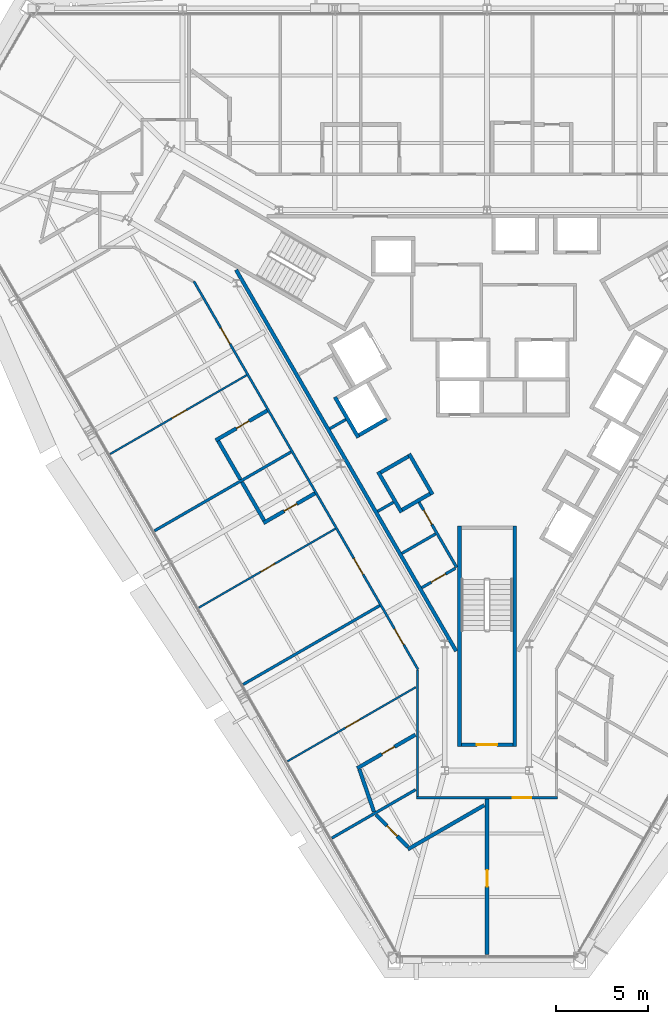
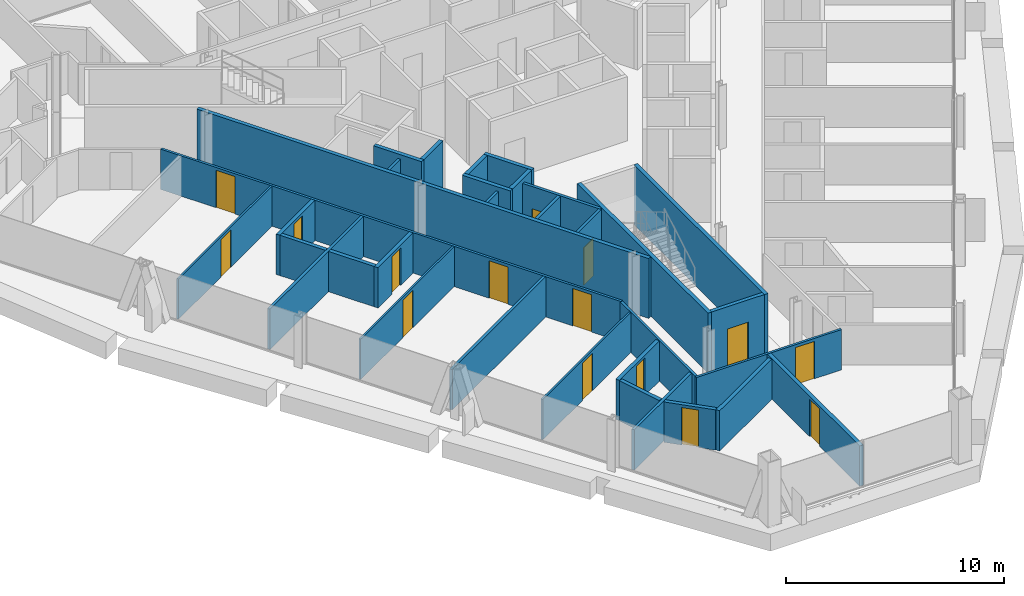
# One storey, part 10 of 17: 33 walls, 15 doors, 15 openings.
"""IFC4 building model written with IfcOpenShell, lengths in metres."""

from ifc_helpers import new_model, si_unit, direction, frame, frame_2d, origin, place, context, subcontext, project, spatial, rectangle, extrude, material, layer, layer_set, type_object, element, fill, save


model = new_model("IFC4")

# Units and contexts
model_context = context("Model", 3, precision=1e-05, world=origin(), true_north=direction((0.0, 1.0)))
body_context = subcontext(model_context, "Body", "Model", "MODEL_VIEW")
ifc_project = project(units=[si_unit("LENGTHUNIT", "METRE"), si_unit("AREAUNIT", "SQUARE_METRE"), si_unit("VOLUMEUNIT", "CUBIC_METRE"), si_unit("PLANEANGLEUNIT", "RADIAN"), si_unit("MASSUNIT", "GRAM", prefix="KILO")], contexts=[model_context])

# Site, building, storey
site_placement = place(None, origin())
site = spatial("IfcSite", under=ifc_project, at=site_placement, CompositionType="ELEMENT")
building_placement = place(site_placement, origin())
building = spatial("IfcBuilding", under=site, at=building_placement, Name="Verrane Prism Tower", CompositionType="ELEMENT")
storey_placement = place(building_placement, frame((0.0, 0.0, 139.60009765625)))
storey = spatial("IfcBuildingStorey", under=building, at=storey_placement, Name="L34", CompositionType="ELEMENT", Elevation=139.60009765625)

# Wall
ifc_material_1 = material(Name="Gypsum board partition", Category="other")
ifc_layer_1 = layer(ifc_material_1, 0.199951171875)
ifc_layer_set_1 = layer_set([ifc_layer_1], Name="CW-200 core boundary wall 2 h")
wall_type_1 = type_object("IfcWallType", Name="CW-200 core boundary wall 2 h", PredefinedType="PARTITIONING", material=ifc_layer_set_1)
wall_1_placement = place(storey_placement, frame((-13.66357421875, 5.946044921875, 0.0), z_axis=(0.0, 0.0, 1.0), x_axis=(0.499994327219, -0.866028678941, 0.0)))
element("IfcWall", 1, at=wall_1_placement, inside=storey, type_object=wall_type_1, Name="Core boundary wall CW3-008", PredefinedType="PARTITIONING", context=body_context, shape_type="SweptSolid", body=[
    extrude(rectangle(XDim=23.967529296875, YDim=0.199951171875, at=frame_2d((11.98388671875, 0.0))), origin(), (0.0, 0.0, 1.0), 3.349853515625),
])

# Wall, opening, door
ifc_material_2 = material(Name="Concrete C40/50", Category="concrete")
ifc_layer_2 = layer(ifc_material_2, 0.199951171875)
ifc_layer_set_2 = layer_set([ifc_layer_2], Name="CW-200 stair core wall concrete C40/50 3 h")
wall_type_2 = type_object("IfcWallType", Name="CW-200 stair core wall concrete C40/50 3 h", PredefinedType="PARTITIONING", material=ifc_layer_set_2)
wall_2_placement = place(storey_placement, frame((-1.39990234375, -19.89990234375, 0.0), z_axis=(0.0, 0.0, 1.0), x_axis=(1.0, 0.0, 0.0)))
wall_2 = element("IfcWall", 2, at=wall_2_placement, inside=storey, type_object=wall_type_2, Name="Stair 3 enclosure wall", PredefinedType="PARTITIONING", context=body_context, shape_type="SweptSolid", body=[
    extrude(rectangle(XDim=2.7998046875, YDim=0.199951171875, at=frame_2d((1.39990234375, 0.0))), origin(), (0.0, 0.0, 1.0), 3.349853515625),
])
opening_1_placement = place(wall_2_placement, frame((0.85009765625, 0.0, 0.0)))
opening_1 = element("IfcOpeningElement", 3, at=opening_1_placement, cuts=wall_2, Name="Opening D32502", PredefinedType="OPENING", context=body_context, shape_type="SweptSolid", body=[
    extrude(rectangle(XDim=1.10009765625, YDim=2.10009765625, at=frame_2d((0.550048828125, 1.050048828125))), frame((0.0, 0.10986328125, 0.0), z_axis=(0.0, -1.0, 0.0), x_axis=(1.0, 0.0, 0.0)), (0.0, 0.0, 1.0), 0.219970703125),
])
ifc_material_3 = material(Name="Timber veneered door leaf", Category="wood")
door_type_1 = type_object("IfcDoorType", Name="DR-1100x2100 FD90 single leaf stair", OperationType="NOTDEFINED", PredefinedType="DOOR", material=ifc_material_3)
door_1_placement = place(opening_1_placement, origin())
door_1 = element("IfcDoor", 4, at=door_1_placement, inside=storey, type_object=door_type_1, Name="Stair 3 door", OperationType="SINGLE_SWING_LEFT", OverallHeight=2.10009765625, OverallWidth=1.10009765625, PredefinedType="DOOR", context=body_context, shape_type="SweptSolid", body=[
    extrude(rectangle(XDim=1.10009765625, YDim=2.10009765625, at=frame_2d((0.550048828125, 1.050048828125))), frame((0.0, 0.02490234375, 0.0), z_axis=(0.0, -1.0, 0.0), x_axis=(1.0, 0.0, 0.0)), (0.0, 0.0, 1.0), 0.050048828125),
])
fill(opening_1, door_1)

# Walls
for number, where, z_axis, x_axis, name in (
    (5, (1.5, -8.0, 0.0), (0.0, 0.0, 1.0), (0.0, -1.0, 0.0), "Stair 3 enclosure wall"),
    (6, (-1.5, -8.0, 0.0), (0.0, 0.0, 1.0), (0.0, -1.0, 0.0), "Stair 3 enclosure wall"),
):
    element("IfcWall", number, at=place(storey_placement, frame(where, z_axis=z_axis, x_axis=x_axis)), inside=storey, type_object=wall_type_2, Name=name, PredefinedType="PARTITIONING", context=body_context, shape_type="SweptSolid", body=[
        extrude(rectangle(XDim=12.0, YDim=0.199951171875, at=frame_2d((6.0, 0.0))), origin(), (0.0, 0.0, 1.0), 3.349853515625),
    ])
ifc_material_4 = material(Name="Gypsum board shaft wall assembly", Category="other")
ifc_layer_3 = layer(ifc_material_4, 0.199951171875)
ifc_layer_set_3 = layer_set([ifc_layer_3], Name="HW-200 lift shaft wall 2 h")
wall_type_3 = type_object("IfcWallType", Name="HW-200 lift shaft wall 2 h", PredefinedType="PARTITIONING", material=ifc_layer_set_3)
for number, where, z_axis, x_axis, name in (
    (7, (-4.61962890625, -7.118408203125, 0.0), (0.0, 0.0, 1.0), (0.866036909293, 0.499980071345, 0.0), "Lift shaft wall"),
    (8, (-5.794677734375, -5.083251953125, 0.0), (0.0, 0.0, 1.0), (0.866036909293, 0.499980071345, 0.0), "Lift shaft wall"),
    (9, (-6.9697265625, -3.048095703125, 0.0), (0.0, 0.0, 1.0), (0.866036909293, 0.499980071345, 0.0), "Lift shaft wall"),
):
    element("IfcWall", number, at=place(storey_placement, frame(where, z_axis=z_axis, x_axis=x_axis)), inside=storey, type_object=wall_type_3, Name=name, PredefinedType="PARTITIONING", context=body_context, shape_type="SweptSolid", body=[
        extrude(rectangle(XDim=1.75, YDim=0.199951171875, at=frame_2d((0.875, 0.0))), origin(), (0.0, 0.0, 1.0), 3.599853515625),
    ])
for number, where, z_axis, x_axis, name in (
    (10, (-2.967529296875, -6.280029296875, 0.0), (0.0, 0.0, 1.0), (-0.499990435942, 0.866030925526, 0.0), "Lift shaft wall"),
    (11, (-4.65625, -7.255126953125, 0.0), (0.0, 0.0, 1.0), (-0.499990435942, 0.866030925526, 0.0), "Lift shaft wall"),
    (12, (-7.00634765625, -3.184814453125, 0.0), (0.0, 0.0, 1.0), (-0.499990435942, 0.866030925526, 0.0), "Lift shaft wall"),
):
    element("IfcWall", number, at=place(storey_placement, frame(where, z_axis=z_axis, x_axis=x_axis)), inside=storey, type_object=wall_type_3, Name=name, PredefinedType="PARTITIONING", context=body_context, shape_type="SweptSolid", body=[
        extrude(rectangle(XDim=2.5498046875, YDim=0.199951171875, at=frame_2d((1.27490234375, 0.0))), origin(), (0.0, 0.0, 1.0), 3.599853515625),
    ])

# Wall, opening, door
ifc_material_5 = material(Name="Gypsum board partition", Category="other")
ifc_layer_4 = layer(ifc_material_5, 0.10009765625)
ifc_layer_set_4 = layer_set([ifc_layer_4], Name="PW-100 room partition")
wall_type_4 = type_object("IfcWallType", Name="PW-100 room partition", PredefinedType="PARTITIONING", material=ifc_layer_set_4)
wall_3_placement = place(storey_placement, frame((-13.084228515625, 0.2158203125, 0.0), z_axis=(0.0, 0.0, 1.0), x_axis=(-0.866017120224, -0.500014347272, 0.0)))
wall_3 = element("IfcWall", 13, at=wall_3_placement, inside=storey, type_object=wall_type_4, Name="Room partition 011", PredefinedType="PARTITIONING", context=body_context, shape_type="SweptSolid", body=[
    extrude(rectangle(XDim=8.591552734375, YDim=0.10009765625, at=frame_2d((4.2958984375, 0.0))), origin(), (0.0, 0.0, 1.0), 2.261962890625),
])
opening_2_placement = place(wall_3_placement, frame((3.78759765625, 0.0, 0.0)))
opening_2 = element("IfcOpeningElement", 14, at=opening_2_placement, cuts=wall_3, Name="Opening D32038", PredefinedType="OPENING", context=body_context, shape_type="SweptSolid", body=[
    extrude(rectangle(XDim=0.89990234375, YDim=2.10009765625, at=frame_2d((0.449951171875, 1.050048828125))), frame((0.0, 0.06005859375, 0.0), z_axis=(0.0, -1.0, 0.0), x_axis=(1.0, 0.0, 0.0)), (0.0, 0.0, 1.0), 0.1201171875),
])
ifc_material_6 = material(Name="Timber veneered door leaf", Category="wood")
door_type_2 = type_object("IfcDoorType", Name="DR-900x2100 single leaf inner", OperationType="NOTDEFINED", PredefinedType="DOOR", material=ifc_material_6)
door_2_placement = place(opening_2_placement, origin())
door_2 = element("IfcDoor", 15, at=door_2_placement, inside=storey, type_object=door_type_2, Name="Suite Living Room door", OperationType="SINGLE_SWING_LEFT", OverallHeight=2.10009765625, OverallWidth=0.89990234375, PredefinedType="DOOR", context=body_context, shape_type="SweptSolid", body=[
    extrude(rectangle(XDim=0.89990234375, YDim=2.10009765625, at=frame_2d((0.449951171875, 1.050048828125))), frame((0.0, 0.02490234375, 0.0), z_axis=(0.0, -1.0, 0.0), x_axis=(1.0, 0.0, 0.0)), (0.0, 0.0, 1.0), 0.050048828125),
])
fill(opening_2, door_2)

wall_4_placement = place(storey_placement, frame((-15.69580078125, -12.444091796875, 0.0), z_axis=(0.0, 0.0, 1.0), x_axis=(0.866024224461, 0.500002042643, 0.0)))
wall_4 = element("IfcWall", 16, at=wall_4_placement, inside=storey, type_object=wall_type_4, Name="Room partition 024", PredefinedType="PARTITIONING", context=body_context, shape_type="SweptSolid", body=[
    extrude(rectangle(XDim=8.591796875, YDim=0.10009765625, at=frame_2d((4.2958984375, 0.0))), origin(), (0.0, 0.0, 1.0), 2.261962890625),
])
opening_3_placement = place(wall_4_placement, frame((3.904052734375, 0.0, 0.0)))
opening_3 = element("IfcOpeningElement", 17, at=opening_3_placement, cuts=wall_4, Name="Opening D32041", PredefinedType="OPENING", context=body_context, shape_type="SweptSolid", body=[
    extrude(rectangle(XDim=0.89990234375, YDim=2.10009765625, at=frame_2d((0.449951171875, 1.050048828125))), frame((0.0, 0.06005859375, 0.0), z_axis=(0.0, -1.0, 0.0), x_axis=(1.0, 0.0, 0.0)), (0.0, 0.0, 1.0), 0.1201171875),
])
door_3_placement = place(opening_3_placement, origin())
door_3 = element("IfcDoor", 18, at=door_3_placement, inside=storey, type_object=door_type_2, Name="Suite Living Room door", OperationType="SINGLE_SWING_LEFT", OverallHeight=2.10009765625, OverallWidth=0.89990234375, PredefinedType="DOOR", context=body_context, shape_type="SweptSolid", body=[
    extrude(rectangle(XDim=0.89990234375, YDim=2.10009765625, at=frame_2d((0.449951171875, 1.050048828125))), frame((0.0, 0.02490234375, 0.0), z_axis=(0.0, -1.0, 0.0), x_axis=(1.0, 0.0, 0.0)), (0.0, 0.0, 1.0), 0.050048828125),
])
fill(opening_3, door_3)

wall_5_placement = place(storey_placement, frame((-3.87451171875, -16.7724609375, 0.0), z_axis=(0.0, 0.0, 1.0), x_axis=(-0.866048113244, -0.499960663999, 0.0)))
wall_5 = element("IfcWall", 19, at=wall_5_placement, inside=storey, type_object=wall_type_4, Name="Room partition 033", PredefinedType="PARTITIONING", context=body_context, shape_type="SweptSolid", body=[
    extrude(rectangle(XDim=8.073486328125, YDim=0.10009765625, at=frame_2d((4.03662109375, 0.0))), origin(), (0.0, 0.0, 1.0), 2.261962890625),
])
opening_4_placement = place(wall_5_placement, frame((3.519775390625, 0.0, 0.0)))
opening_4 = element("IfcOpeningElement", 20, at=opening_4_placement, cuts=wall_5, Name="Opening D32044", PredefinedType="OPENING", context=body_context, shape_type="SweptSolid", body=[
    extrude(rectangle(XDim=0.89990234375, YDim=2.10009765625, at=frame_2d((0.449951171875, 1.050048828125))), frame((0.0, 0.06005859375, 0.0), z_axis=(0.0, -1.0, 0.0), x_axis=(1.0, 0.0, 0.0)), (0.0, 0.0, 1.0), 0.1201171875),
])
door_4_placement = place(opening_4_placement, origin())
door_4 = element("IfcDoor", 21, at=door_4_placement, inside=storey, type_object=door_type_2, Name="Suite Living Room door", OperationType="SINGLE_SWING_LEFT", OverallHeight=2.10009765625, OverallWidth=0.89990234375, PredefinedType="DOOR", context=body_context, shape_type="SweptSolid", body=[
    extrude(rectangle(XDim=0.89990234375, YDim=2.10009765625, at=frame_2d((0.449951171875, 1.050048828125))), frame((0.0, 0.02490234375, 0.0), z_axis=(0.0, -1.0, 0.0), x_axis=(1.0, 0.0, 0.0)), (0.0, 0.0, 1.0), 0.050048828125),
])
fill(opening_4, door_4)

# Wall, openings, doors
ifc_material_7 = material(Name="Gypsum board partition", Category="other")
ifc_layer_5 = layer(ifc_material_7, 0.125)
ifc_layer_set_5 = layer_set([ifc_layer_5], Name="PW-125 corridor wall 1 h")
wall_type_5 = type_object("IfcWallType", Name="PW-125 corridor wall 1 h", PredefinedType="PARTITIONING", material=ifc_layer_set_5)
wall_6_placement = place(storey_placement, frame((-3.755859375, -15.816162109375, 0.0), z_axis=(0.0, 0.0, 1.0), x_axis=(-0.499992829944, 0.866029543379, 0.0)))
wall_6 = element("IfcWall", 22, at=wall_6_placement, inside=storey, type_object=wall_type_5, Name="Corridor wall 021", PredefinedType="PARTITIONING", context=body_context, shape_type="SweptSolid", body=[
    extrude(rectangle(XDim=24.412841796875, YDim=0.125, at=frame_2d((12.20654296875, 0.0))), origin(), (0.0, 0.0, 1.0), 2.261962890625),
])
opening_5_placement = place(wall_6_placement, frame((20.4775390625, 0.0, 0.0)))
opening_5 = element("IfcOpeningElement", 23, at=opening_5_placement, cuts=wall_6, Name="Opening D32037", PredefinedType="OPENING", context=body_context, shape_type="SweptSolid", body=[
    extrude(rectangle(XDim=1.0, YDim=2.10009765625, at=frame_2d((0.5, 1.050048828125))), frame((0.0, 0.072509765625, 0.0), z_axis=(0.0, -1.0, 0.0), x_axis=(1.0, 0.0, 0.0)), (0.0, 0.0, 1.0), 0.14501953125),
])
opening_6_placement = place(wall_6_placement, frame((5.990478515625, 0.0, 0.0)))
opening_6 = element("IfcOpeningElement", 24, at=opening_6_placement, cuts=wall_6, Name="Opening D32040", PredefinedType="OPENING", context=body_context, shape_type="SweptSolid", body=[
    extrude(rectangle(XDim=1.0, YDim=2.10009765625, at=frame_2d((0.5, 1.050048828125))), frame((0.0, 0.072509765625, 0.0), z_axis=(0.0, -1.0, 0.0), x_axis=(1.0, 0.0, 0.0)), (0.0, 0.0, 1.0), 0.14501953125),
])
opening_7_placement = place(wall_6_placement, frame((1.560546875, 0.0, 0.0)))
opening_7 = element("IfcOpeningElement", 25, at=opening_7_placement, cuts=wall_6, Name="Opening D32043", PredefinedType="OPENING", context=body_context, shape_type="SweptSolid", body=[
    extrude(rectangle(XDim=1.0, YDim=2.10009765625, at=frame_2d((0.5, 1.050048828125))), frame((0.0, 0.072509765625, 0.0), z_axis=(0.0, -1.0, 0.0), x_axis=(1.0, 0.0, 0.0)), (0.0, 0.0, 1.0), 0.14501953125),
])
ifc_material_8 = material(Name="Timber veneered door leaf", Category="wood")
door_type_3 = type_object("IfcDoorType", Name="DR-1000x2100 FD20 single leaf unit", OperationType="NOTDEFINED", PredefinedType="DOOR", material=ifc_material_8)
door_5_placement = place(opening_5_placement, origin())
door_5 = element("IfcDoor", 26, at=door_5_placement, inside=storey, type_object=door_type_3, Name="Suite Living Room door", OperationType="SINGLE_SWING_RIGHT", OverallHeight=2.10009765625, OverallWidth=1.0, PredefinedType="DOOR", context=body_context, shape_type="SweptSolid", body=[
    extrude(rectangle(XDim=1.0, YDim=2.10009765625, at=frame_2d((0.5, 1.050048828125))), frame((0.0, 0.02490234375, 0.0), z_axis=(0.0, -1.0, 0.0), x_axis=(1.0, 0.0, 0.0)), (0.0, 0.0, 1.0), 0.050048828125),
])
fill(opening_5, door_5)
door_6_placement = place(opening_6_placement, origin())
door_6 = element("IfcDoor", 27, at=door_6_placement, inside=storey, type_object=door_type_3, Name="Suite Living Room door", OperationType="SINGLE_SWING_LEFT", OverallHeight=2.10009765625, OverallWidth=1.0, PredefinedType="DOOR", context=body_context, shape_type="SweptSolid", body=[
    extrude(rectangle(XDim=1.0, YDim=2.10009765625, at=frame_2d((0.5, 1.050048828125))), frame((0.0, 0.02490234375, 0.0), z_axis=(0.0, -1.0, 0.0), x_axis=(1.0, 0.0, 0.0)), (0.0, 0.0, 1.0), 0.050048828125),
])
fill(opening_6, door_6)
door_7_placement = place(opening_7_placement, origin())
door_7 = element("IfcDoor", 28, at=door_7_placement, inside=storey, type_object=door_type_3, Name="Suite Living Room door", OperationType="SINGLE_SWING_RIGHT", OverallHeight=2.10009765625, OverallWidth=1.0, PredefinedType="DOOR", context=body_context, shape_type="SweptSolid", body=[
    extrude(rectangle(XDim=1.0, YDim=2.10009765625, at=frame_2d((0.5, 1.050048828125))), frame((0.0, 0.02490234375, 0.0), z_axis=(0.0, -1.0, 0.0), x_axis=(1.0, 0.0, 0.0)), (0.0, 0.0, 1.0), 0.050048828125),
])
fill(opening_7, door_7)

# Wall
wall_7_placement = place(storey_placement, frame((-3.787109375, -22.721923828125, 0.0), z_axis=(0.0, 0.0, 1.0), x_axis=(0.0, 1.0, 0.0)))
element("IfcWall", 29, at=wall_7_placement, inside=storey, type_object=wall_type_5, Name="Corridor wall 044", PredefinedType="PARTITIONING", context=body_context, shape_type="SweptSolid", body=[
    extrude(rectangle(XDim=6.875, YDim=0.125, at=frame_2d((3.4375, 0.0))), origin(), (0.0, 0.0, 1.0), 2.261962890625),
])

# Wall, opening, door
wall_8_placement = place(storey_placement, frame((3.849609375, -22.787109375, 0.0), z_axis=(0.0, 0.0, 1.0), x_axis=(-1.0, 0.0, 0.0)))
wall_8 = element("IfcWall", 30, at=wall_8_placement, inside=storey, type_object=wall_type_5, Name="Corridor wall 045", PredefinedType="PARTITIONING", context=body_context, shape_type="SweptSolid", body=[
    extrude(rectangle(XDim=7.69921875, YDim=0.125, at=frame_2d((3.849609375, 0.0))), origin(), (0.0, 0.0, 1.0), 2.261962890625),
])
opening_8_placement = place(wall_8_placement, frame((1.449462890625, 0.0, 0.0)))
opening_8 = element("IfcOpeningElement", 31, at=opening_8_placement, cuts=wall_8, Name="Opening D32046", PredefinedType="OPENING", context=body_context, shape_type="SweptSolid", body=[
    extrude(rectangle(XDim=1.0, YDim=2.10009765625, at=frame_2d((0.5, 1.050048828125))), frame((0.0, 0.072509765625, 0.0), z_axis=(0.0, -1.0, 0.0), x_axis=(1.0, 0.0, 0.0)), (0.0, 0.0, 1.0), 0.14501953125),
])
door_8_placement = place(opening_8_placement, origin())
door_8 = element("IfcDoor", 32, at=door_8_placement, inside=storey, type_object=door_type_3, Name="Suite Living Room door", OperationType="SINGLE_SWING_LEFT", OverallHeight=2.10009765625, OverallWidth=1.0, PredefinedType="DOOR", context=body_context, shape_type="SweptSolid", body=[
    extrude(rectangle(XDim=1.0, YDim=2.10009765625, at=frame_2d((0.5, 1.050048828125))), frame((0.0, 0.02490234375, 0.0), z_axis=(0.0, -1.0, 0.0), x_axis=(1.0, 0.0, 0.0)), (0.0, 0.0, 1.0), 0.050048828125),
])
fill(opening_8, door_8)

# Walls
ifc_material_9 = material(Name="Gypsum board partition", Category="other")
ifc_layer_6 = layer(ifc_material_9, 0.14990234375)
ifc_layer_set_6 = layer_set([ifc_layer_6], Name="PW-150 demising wall 1 h")
wall_type_6 = type_object("IfcWallType", Name="PW-150 demising wall 1 h", PredefinedType="PARTITIONING", material=ifc_layer_set_6)
wall_9_placement = place(storey_placement, frame((-18.1103515625, -8.26171875, 0.0), z_axis=(0.0, 0.0, 1.0), x_axis=(0.866034625887, 0.499984026509, 0.0)))
element("IfcWall", 33, at=wall_9_placement, inside=storey, type_object=wall_type_6, Name="Demising wall 018", PredefinedType="PARTITIONING", context=body_context, shape_type="SweptSolid", body=[
    extrude(rectangle(XDim=8.591064453125, YDim=0.14990234375, at=frame_2d((4.29541015625, 0.0))), origin(), (0.0, 0.0, 1.0), 2.261962890625),
])
wall_10_placement = place(storey_placement, frame((-13.28076171875, -16.626953125, 0.0), z_axis=(0.0, 0.0, 1.0), x_axis=(0.866036528751, 0.499980730498, 0.0)))
element("IfcWall", 34, at=wall_10_placement, inside=storey, type_object=wall_type_6, Name="Demising wall 029", PredefinedType="PARTITIONING", context=body_context, shape_type="SweptSolid", body=[
    extrude(rectangle(XDim=8.591552734375, YDim=0.14990234375, at=frame_2d((4.2958984375, 0.0))), origin(), (0.0, 0.0, 1.0), 2.261962890625),
])
wall_11_placement = place(storey_placement, frame((-8.45166015625, -24.990966796875, 0.0), z_axis=(0.0, 0.0, 1.0), x_axis=(0.866039804031, 0.499975057213, 0.0)))
element("IfcWall", 35, at=wall_11_placement, inside=storey, type_object=wall_type_6, Name="Demising wall 036", PredefinedType="PARTITIONING", context=body_context, shape_type="SweptSolid", body=[
    extrude(rectangle(XDim=5.270751953125, YDim=0.14990234375, at=frame_2d((2.63525390625, 0.0))), origin(), (0.0, 0.0, 1.0), 2.261962890625),
])
ifc_material_10 = material(Name="Gypsum board partition", Category="other")
ifc_layer_7 = layer(ifc_material_10, 0.199951171875)
ifc_layer_set_7 = layer_set([ifc_layer_7], Name="PW-200 plumbing wall")
wall_type_7 = type_object("IfcWallType", Name="PW-200 plumbing wall", PredefinedType="PARTITIONING", material=ifc_layer_set_7)
wall_12_placement = place(storey_placement, frame((-14.636962890625, -3.36962890625, 0.0), z_axis=(0.0, 0.0, 1.0), x_axis=(0.50002218001, -0.866012597771, 0.0)))
element("IfcWall", 36, at=wall_12_placement, inside=storey, type_object=wall_type_7, Name="Plumbing wall 025", PredefinedType="PARTITIONING", context=body_context, shape_type="SweptSolid", body=[
    extrude(rectangle(XDim=2.4208984375, YDim=0.199951171875, at=frame_2d((1.21044921875, 0.0))), origin(), (0.0, 0.0, 1.0), 2.261962890625),
])

# Wall, opening, door
wall_13_placement = place(storey_placement, frame((-11.97021484375, -1.71435546875, 0.0), z_axis=(0.0, 0.0, 1.0), x_axis=(-0.866016035791, -0.500016225489, 0.0)))
wall_13 = element("IfcWall", 37, at=wall_13_placement, inside=storey, type_object=wall_type_7, Name="Plumbing wall 026", PredefinedType="PARTITIONING", context=body_context, shape_type="SweptSolid", body=[
    extrude(rectangle(XDim=3.2373046875, YDim=0.199951171875, at=frame_2d((1.61865234375, 0.0))), origin(), (0.0, 0.0, 1.0), 2.261962890625),
])
opening_9_placement = place(wall_13_placement, frame((1.13720703125, 0.0, 0.0)))
opening_9 = element("IfcOpeningElement", 38, at=opening_9_placement, cuts=wall_13, Name="Opening D32039", PredefinedType="OPENING", context=body_context, shape_type="SweptSolid", body=[
    extrude(rectangle(XDim=0.800048828125, YDim=2.10009765625, at=frame_2d((0.39990234375, 1.050048828125))), frame((0.0, 0.10986328125, 0.0), z_axis=(0.0, -1.0, 0.0), x_axis=(1.0, 0.0, 0.0)), (0.0, 0.0, 1.0), 0.219970703125),
])
ifc_material_11 = material(Name="Timber veneered door leaf", Category="wood")
door_type_4 = type_object("IfcDoorType", Name="DR-800x2100 single leaf bath", OperationType="NOTDEFINED", PredefinedType="DOOR", material=ifc_material_11)
door_9_placement = place(opening_9_placement, origin())
door_9 = element("IfcDoor", 39, at=door_9_placement, inside=storey, type_object=door_type_4, Name="En-Suite door", OperationType="SINGLE_SWING_RIGHT", OverallHeight=2.10009765625, OverallWidth=0.800048828125, PredefinedType="DOOR", context=body_context, shape_type="SweptSolid", body=[
    extrude(rectangle(XDim=0.800048828125, YDim=2.10009765625, at=frame_2d((0.39990234375, 1.050048828125))), frame((0.0, 0.02490234375, 0.0), z_axis=(0.0, -1.0, 0.0), x_axis=(1.0, 0.0, 0.0)), (0.0, 0.0, 1.0), 0.050048828125),
])
fill(opening_9, door_9)

# Wall
wall_14_placement = place(storey_placement, frame((-13.346435546875, -5.60400390625, 0.0), z_axis=(0.0, 0.0, 1.0), x_axis=(0.499719542643, -0.866187265377, 0.0)))
element("IfcWall", 40, at=wall_14_placement, inside=storey, type_object=wall_type_7, Name="Plumbing wall 028", PredefinedType="PARTITIONING", context=body_context, shape_type="SweptSolid", body=[
    extrude(rectangle(XDim=2.42041015625, YDim=0.199951171875, at=frame_2d((1.210205078125, 0.0))), origin(), (0.0, 0.0, 1.0), 2.261962890625),
])

# Wall, opening, door
wall_15_placement = place(storey_placement, frame((-12.173583984375, -7.8369140625, 0.0), z_axis=(0.0, 0.0, 1.0), x_axis=(0.866016035791, 0.500016225489, 0.0)))
wall_15 = element("IfcWall", 41, at=wall_15_placement, inside=storey, type_object=wall_type_7, Name="Plumbing wall 031", PredefinedType="PARTITIONING", context=body_context, shape_type="SweptSolid", body=[
    extrude(rectangle(XDim=3.2373046875, YDim=0.199951171875, at=frame_2d((1.61865234375, 0.0))), origin(), (0.0, 0.0, 1.0), 2.261962890625),
])
opening_10_placement = place(wall_15_placement, frame((1.300048828125, 0.0, 0.0)))
opening_10 = element("IfcOpeningElement", 42, at=opening_10_placement, cuts=wall_15, Name="Opening D32042", PredefinedType="OPENING", context=body_context, shape_type="SweptSolid", body=[
    extrude(rectangle(XDim=0.800048828125, YDim=2.10009765625, at=frame_2d((0.39990234375, 1.050048828125))), frame((0.0, 0.10986328125, 0.0), z_axis=(0.0, -1.0, 0.0), x_axis=(1.0, 0.0, 0.0)), (0.0, 0.0, 1.0), 0.219970703125),
])
door_10_placement = place(opening_10_placement, origin())
door_10 = element("IfcDoor", 43, at=door_10_placement, inside=storey, type_object=door_type_4, Name="En-Suite door", OperationType="SINGLE_SWING_RIGHT", OverallHeight=2.10009765625, OverallWidth=0.800048828125, PredefinedType="DOOR", context=body_context, shape_type="SweptSolid", body=[
    extrude(rectangle(XDim=0.800048828125, YDim=2.10009765625, at=frame_2d((0.39990234375, 1.050048828125))), frame((0.0, 0.02490234375, 0.0), z_axis=(0.0, -1.0, 0.0), x_axis=(1.0, 0.0, 0.0)), (0.0, 0.0, 1.0), 0.050048828125),
])
fill(opening_10, door_10)

# Wall
wall_16_placement = place(storey_placement, frame((-6.947998046875, -21.256591796875, 0.0), z_axis=(0.0, 0.0, 1.0), x_axis=(0.325034895309, -0.945702023278, 0.0)))
element("IfcWall", 44, at=wall_16_placement, inside=storey, type_object=wall_type_7, Name="Plumbing wall 037", PredefinedType="PARTITIONING", context=body_context, shape_type="SweptSolid", body=[
    extrude(rectangle(XDim=2.432861328125, YDim=0.199951171875, at=frame_2d((1.21630859375, 0.0))), origin(), (0.0, 0.0, 1.0), 2.261962890625),
])

# Wall, opening, door
wall_17_placement = place(storey_placement, frame((-3.8994140625, -19.36083984375, 0.0), z_axis=(0.0, 0.0, 1.0), x_axis=(-0.866103509397, -0.499864692702, 0.0)))
wall_17 = element("IfcWall", 45, at=wall_17_placement, inside=storey, type_object=wall_type_7, Name="Plumbing wall 038", PredefinedType="PARTITIONING", context=body_context, shape_type="SweptSolid", body=[
    extrude(rectangle(XDim=3.6650390625, YDim=0.199951171875, at=frame_2d((1.83251953125, 0.0))), origin(), (0.0, 0.0, 1.0), 2.261962890625),
])
opening_11_placement = place(wall_17_placement, frame((1.31494140625, 0.0, 0.0)))
opening_11 = element("IfcOpeningElement", 46, at=opening_11_placement, cuts=wall_17, Name="Opening D32045", PredefinedType="OPENING", context=body_context, shape_type="SweptSolid", body=[
    extrude(rectangle(XDim=0.800048828125, YDim=2.10009765625, at=frame_2d((0.39990234375, 1.050048828125))), frame((0.0, 0.10986328125, 0.0), z_axis=(0.0, -1.0, 0.0), x_axis=(1.0, 0.0, 0.0)), (0.0, 0.0, 1.0), 0.219970703125),
])
door_11_placement = place(opening_11_placement, origin())
door_11 = element("IfcDoor", 47, at=door_11_placement, inside=storey, type_object=door_type_4, Name="En-Suite door", OperationType="SINGLE_SWING_RIGHT", OverallHeight=2.10009765625, OverallWidth=0.800048828125, PredefinedType="DOOR", context=body_context, shape_type="SweptSolid", body=[
    extrude(rectangle(XDim=0.800048828125, YDim=2.10009765625, at=frame_2d((0.39990234375, 1.050048828125))), frame((0.0, 0.02490234375, 0.0), z_axis=(0.0, -1.0, 0.0), x_axis=(1.0, 0.0, 0.0)), (0.0, 0.0, 1.0), 0.050048828125),
])
fill(opening_11, door_11)

wall_18_placement = place(storey_placement, frame((-6.05224609375, -23.721923828125, 0.0), z_axis=(0.0, 0.0, 1.0), x_axis=(0.706958057502, -0.707255473597, 0.0)))
wall_18 = element("IfcWall", 48, at=wall_18_placement, inside=storey, type_object=wall_type_7, Name="Plumbing wall 041", PredefinedType="PARTITIONING", context=body_context, shape_type="SweptSolid", body=[
    extrude(rectangle(XDim=2.462646484375, YDim=0.199951171875, at=frame_2d((1.2314453125, 0.0))), origin(), (0.0, 0.0, 1.0), 2.261962890625),
])
opening_12_placement = place(wall_18_placement, frame((0.845703125, 0.0, 0.0)))
opening_12 = element("IfcOpeningElement", 49, at=opening_12_placement, cuts=wall_18, Name="Opening D32048", PredefinedType="OPENING", context=body_context, shape_type="SweptSolid", body=[
    extrude(rectangle(XDim=0.800048828125, YDim=2.10009765625, at=frame_2d((0.39990234375, 1.050048828125))), frame((0.0, 0.10986328125, 0.0), z_axis=(0.0, -1.0, 0.0), x_axis=(1.0, 0.0, 0.0)), (0.0, 0.0, 1.0), 0.219970703125),
])
door_12_placement = place(opening_12_placement, origin())
door_12 = element("IfcDoor", 50, at=door_12_placement, inside=storey, type_object=door_type_4, Name="En-Suite door", OperationType="SINGLE_SWING_RIGHT", OverallHeight=2.10009765625, OverallWidth=0.800048828125, PredefinedType="DOOR", context=body_context, shape_type="SweptSolid", body=[
    extrude(rectangle(XDim=0.800048828125, YDim=2.10009765625, at=frame_2d((0.39990234375, 1.050048828125))), frame((0.0, 0.02490234375, 0.0), z_axis=(0.0, -1.0, 0.0), x_axis=(1.0, 0.0, 0.0)), (0.0, 0.0, 1.0), 0.050048828125),
])
fill(opening_12, door_12)

# Wall
wall_19_placement = place(storey_placement, frame((-4.3095703125, -25.60205078125, 0.0), z_axis=(0.0, 0.0, 1.0), x_axis=(0.866045077667, 0.499965922287, 0.0)))
element("IfcWall", 51, at=wall_19_placement, inside=storey, type_object=wall_type_7, Name="Plumbing wall 043", PredefinedType="PARTITIONING", context=body_context, shape_type="SweptSolid", body=[
    extrude(rectangle(XDim=4.802978515625, YDim=0.199951171875, at=frame_2d((2.4013671875, 0.0))), origin(), (0.0, 0.0, 1.0), 2.261962890625),
])

# Wall, opening, door
wall_20_placement = place(storey_placement, frame((0.0, -31.340087890625, 0.0), z_axis=(0.0, 0.0, 1.0), x_axis=(0.0, 1.0, 0.0)))
wall_20 = element("IfcWall", 52, at=wall_20_placement, inside=storey, type_object=wall_type_7, Name="Plumbing wall 047", PredefinedType="PARTITIONING", context=body_context, shape_type="SweptSolid", body=[
    extrude(rectangle(XDim=8.490478515625, YDim=0.199951171875, at=frame_2d((4.2451171875, 0.0))), origin(), (0.0, 0.0, 1.0), 2.261962890625),
])
opening_13_placement = place(wall_20_placement, frame((3.7041015625, 0.0, 0.0)))
opening_13 = element("IfcOpeningElement", 53, at=opening_13_placement, cuts=wall_20, Name="Opening D32047", PredefinedType="OPENING", context=body_context, shape_type="SweptSolid", body=[
    extrude(rectangle(XDim=0.89990234375, YDim=2.10009765625, at=frame_2d((0.449951171875, 1.050048828125))), frame((0.0, 0.10986328125, 0.0), z_axis=(0.0, -1.0, 0.0), x_axis=(1.0, 0.0, 0.0)), (0.0, 0.0, 1.0), 0.219970703125),
])
door_13_placement = place(opening_13_placement, origin())
door_13 = element("IfcDoor", 54, at=door_13_placement, inside=storey, type_object=door_type_2, Name="Suite Living Room door", OperationType="SINGLE_SWING_LEFT", OverallHeight=2.10009765625, OverallWidth=0.89990234375, PredefinedType="DOOR", context=body_context, shape_type="SweptSolid", body=[
    extrude(rectangle(XDim=0.89990234375, YDim=2.10009765625, at=frame_2d((0.449951171875, 1.050048828125))), frame((0.0, 0.02490234375, 0.0), z_axis=(0.0, -1.0, 0.0), x_axis=(1.0, 0.0, 0.0)), (0.0, 0.0, 1.0), 0.050048828125),
])
fill(opening_13, door_13)

# Walls
ifc_material_12 = material(Name="Gypsum board partition", Category="other")
ifc_layer_8 = layer(ifc_material_12, 0.14990234375)
ifc_layer_set_8 = layer_set([ifc_layer_8], Name="RS-150 riser enclosure wall 1 h")
wall_type_8 = type_object("IfcWallType", Name="RS-150 riser enclosure wall 1 h", PredefinedType="PARTITIONING", material=ifc_layer_set_8)
wall_21_placement = place(storey_placement, frame((-8.556396484375, -2.699951171875, 0.0), z_axis=(0.0, 0.0, 1.0), x_axis=(0.86606747808, 0.499927118101, 0.0)))
element("IfcWall", 55, at=wall_21_placement, inside=storey, type_object=wall_type_8, Name="Riser wall RS3-011", PredefinedType="PARTITIONING", context=body_context, shape_type="SweptSolid", body=[
    extrude(rectangle(XDim=0.998291015625, YDim=0.14990234375, at=frame_2d((0.4990234375, 0.0))), origin(), (0.0, 0.0, 1.0), 3.349853515625),
])
wall_22_placement = place(storey_placement, frame((-5.956298828125, -7.203125, 0.0), z_axis=(0.0, 0.0, 1.0), x_axis=(0.866006330792, 0.500033033937, 0.0)))
element("IfcWall", 56, at=wall_22_placement, inside=storey, type_object=wall_type_8, Name="Riser wall RS3-013", PredefinedType="PARTITIONING", context=body_context, shape_type="SweptSolid", body=[
    extrude(rectangle(XDim=0.998046875, YDim=0.14990234375, at=frame_2d((0.4990234375, 0.0))), origin(), (0.0, 0.0, 1.0), 3.349853515625),
])
wall_23_placement = place(storey_placement, frame((-4.636474609375, -9.489013671875, 0.0), z_axis=(0.0, 0.0, 1.0), x_axis=(0.866037937328, 0.499978290637, 0.0)))
element("IfcWall", 57, at=wall_23_placement, inside=storey, type_object=wall_type_8, Name="Riser wall RS3-014", PredefinedType="PARTITIONING", context=body_context, shape_type="SweptSolid", body=[
    extrude(rectangle(XDim=2.1201171875, YDim=0.14990234375, at=frame_2d((1.06005859375, 0.0))), origin(), (0.0, 0.0, 1.0), 3.349853515625),
])

# Wall, opening, door
wall_24_placement = place(storey_placement, frame((-1.656005859375, -10.251220703125, 0.0), z_axis=(0.0, 0.0, 1.0), x_axis=(-0.500116590316, 0.865958079869, 0.0)))
wall_24 = element("IfcWall", 58, at=wall_24_placement, inside=storey, type_object=wall_type_8, Name="Riser wall RS3-015", PredefinedType="PARTITIONING", context=body_context, shape_type="SweptSolid", body=[
    extrude(rectangle(XDim=4.0927734375, YDim=0.14990234375, at=frame_2d((2.04638671875, 0.0))), origin(), (0.0, 0.0, 1.0), 3.349853515625),
])
opening_14_placement = place(wall_24_placement, frame((2.69287109375, 0.0, 0.0)))
opening_14 = element("IfcOpeningElement", 59, at=opening_14_placement, cuts=wall_24, Name="Opening D32522", PredefinedType="OPENING", context=body_context, shape_type="SweptSolid", body=[
    extrude(rectangle(XDim=0.89990234375, YDim=2.10009765625, at=frame_2d((0.449951171875, 1.050048828125))), frame((0.0, 0.0849609375, 0.0), z_axis=(0.0, -1.0, 0.0), x_axis=(1.0, 0.0, 0.0)), (0.0, 0.0, 1.0), 0.169921875),
])
ifc_material_13 = material(Name="Timber veneered door leaf", Category="wood")
door_type_5 = type_object("IfcDoorType", Name="DR-900x2100 FD60 single leaf riser", OperationType="NOTDEFINED", PredefinedType="DOOR", material=ifc_material_13)
door_14_placement = place(opening_14_placement, origin())
door_14 = element("IfcDoor", 60, at=door_14_placement, inside=storey, type_object=door_type_5, Name="Riser door D32522", OperationType="SINGLE_SWING_RIGHT", OverallHeight=2.10009765625, OverallWidth=0.89990234375, PredefinedType="DOOR", context=body_context, shape_type="SweptSolid", body=[
    extrude(rectangle(XDim=0.89990234375, YDim=2.10009765625, at=frame_2d((0.449951171875, 1.050048828125))), frame((0.0, 0.02490234375, 0.0), z_axis=(0.0, -1.0, 0.0), x_axis=(1.0, 0.0, 0.0)), (0.0, 0.0, 1.0), 0.050048828125),
])
fill(opening_14, door_14)

wall_25_placement = place(storey_placement, frame((-3.556396484375, -11.360107421875, 0.0), z_axis=(0.0, 0.0, 1.0), x_axis=(0.866028703517, 0.499994284652, 0.0)))
wall_25 = element("IfcWall", 61, at=wall_25_placement, inside=storey, type_object=wall_type_8, Name="Riser wall RS3-016", PredefinedType="PARTITIONING", context=body_context, shape_type="SweptSolid", body=[
    extrude(rectangle(XDim=2.125, YDim=0.14990234375, at=frame_2d((1.0625, 0.0))), origin(), (0.0, 0.0, 1.0), 3.349853515625),
])
opening_15_placement = place(wall_25_placement, frame((0.60009765625, 0.0, 0.0)))
opening_15 = element("IfcOpeningElement", 62, at=opening_15_placement, cuts=wall_25, Name="Opening D32523", PredefinedType="OPENING", context=body_context, shape_type="SweptSolid", body=[
    extrude(rectangle(XDim=0.89990234375, YDim=2.10009765625, at=frame_2d((0.449951171875, 1.050048828125))), frame((0.0, 0.0849609375, 0.0), z_axis=(0.0, -1.0, 0.0), x_axis=(1.0, 0.0, 0.0)), (0.0, 0.0, 1.0), 0.169921875),
])
door_15_placement = place(opening_15_placement, origin())
door_15 = element("IfcDoor", 63, at=door_15_placement, inside=storey, type_object=door_type_5, Name="Riser door D32523", OperationType="SINGLE_SWING_RIGHT", OverallHeight=2.10009765625, OverallWidth=0.89990234375, PredefinedType="DOOR", context=body_context, shape_type="SweptSolid", body=[
    extrude(rectangle(XDim=0.89990234375, YDim=2.10009765625, at=frame_2d((0.449951171875, 1.050048828125))), frame((0.0, 0.02490234375, 0.0), z_axis=(0.0, -1.0, 0.0), x_axis=(1.0, 0.0, 0.0)), (0.0, 0.0, 1.0), 0.050048828125),
])
fill(opening_15, door_15)

save(model, "model.ifc")
